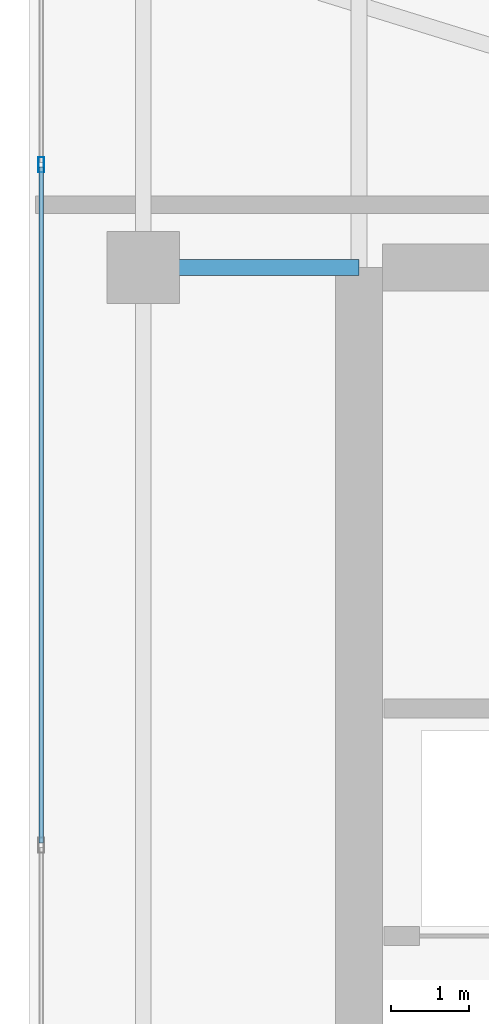
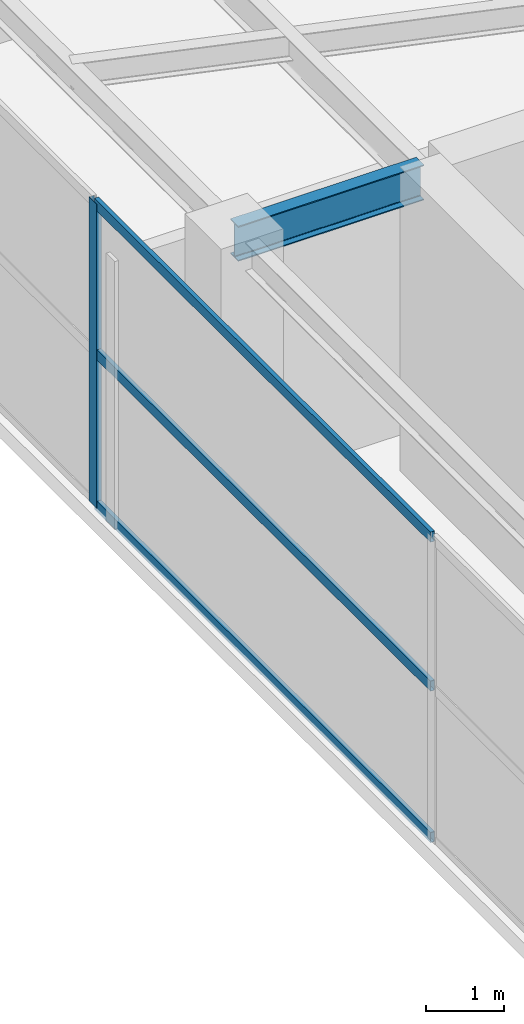
# One storey, part 14 of 21: 4 members, 1 beam, 1 element without a shape of its own.
"""IFC4 building model written with IfcOpenShell, lengths in metres."""

from ifc_helpers import new_model, si_unit, direction, frame, origin, origin_2d, place, context, subcontext, project, spatial, hollow_rectangle, i_section, extrude, material, layer, layer_set, material_profile, profile_set, type_object, element, aggregate, save


model = new_model("IFC4")

# Units and contexts
model_context = context("Model", 3, precision=1e-05, world=origin(), true_north=direction((0.0, 1.0)))
body_context = subcontext(model_context, "Body", "Model", "MODEL_VIEW")
ifc_project = project(units=[si_unit("LENGTHUNIT", "METRE"), si_unit("AREAUNIT", "SQUARE_METRE"), si_unit("VOLUMEUNIT", "CUBIC_METRE"), si_unit("PLANEANGLEUNIT", "RADIAN"), si_unit("MASSUNIT", "GRAM", prefix="KILO")], contexts=[model_context])

# Site, building, storey
site_placement = place(None, origin())
site = spatial("IfcSite", under=ifc_project, at=site_placement, CompositionType="ELEMENT")
building_placement = place(site_placement, origin())
building = spatial("IfcBuilding", under=site, at=building_placement, Name="Calvorn Quay Hotel", CompositionType="ELEMENT")
storey_placement = place(building_placement, frame((0.0, 0.0, 320.5)))
storey = spatial("IfcBuildingStorey", under=building, at=storey_placement, Name="L79", CompositionType="ELEMENT", Elevation=320.5)

# Beam
ifc_material_1 = material(Name="Steel Q355B", Category="steel")
ifc_material_profile_1 = material_profile(ifc_material_1, i_section(OverallWidth=0.199951171875, OverallDepth=0.550048828125, WebThickness=0.010009765625, FlangeThickness=0.01611328125, FilletRadius=0.01806640625, at=origin_2d()), Name="HN550x200x10x16")
ifc_profile_set_1 = profile_set([ifc_material_profile_1], Name="Steel Q355B")
beam_type = type_object("IfcBeamType", Name="BM-GIRD-UPP", PredefinedType="BEAM", material=ifc_profile_set_1)
beam_placement = place(storey_placement, frame((1.449951171875, 38.39990234375, 4.465087890625), z_axis=(1.0, 0.0, 0.0), x_axis=(0.0, 1.0, 0.0)))
element("IfcBeam", 1, at=beam_placement, inside=storey, type_object=beam_type, Name="Beam BG-L79-W3", PredefinedType="BEAM", context=body_context, shape_type="SweptSolid", body=[
    extrude(i_section(OverallWidth=0.199951171875, OverallDepth=0.550048828125, WebThickness=0.010009765625, FlangeThickness=0.01611328125, FilletRadius=0.01806640625, at=origin_2d()), origin(), (0.0, 0.0, 1.0), 2.75),
])

# Curtain wall, members
ifc_material_2 = material(Name="Pale Anodised Aluminium and Laminated Glass", Category="aluminium")
ifc_layer = layer(ifc_material_2, 0.219970703125)
ifc_layer_set = layer_set([ifc_layer], Name="CW-SYS-CRN")
curtain_wall_type = type_object("IfcCurtainWallType", Name="CW-SYS-CRN", PredefinedType="NOTDEFINED", material=ifc_layer_set)
curtain_wall_placement = place(storey_placement, origin())
curtain_wall = element("IfcCurtainWall", 2, at=curtain_wall_placement, inside=storey, type_object=curtain_wall_type, Name="Crown Curtain Wall L79-C5", PredefinedType="NOTDEFINED")
ifc_material_3 = material(Name="Pale Anodised Aluminium 6063-T6", Category="aluminium")
ifc_material_profile_2 = material_profile(ifc_material_3, hollow_rectangle(XDim=0.072021484375, YDim=0.195068359375, WallThickness=0.00390625, at=origin_2d()), Name="ALU-M195x72x4")
ifc_profile_set_2 = profile_set([ifc_material_profile_2], Name="Pale Anodised Aluminium 6063-T6")
member_type_1 = type_object("IfcMemberType", Name="CW-SYS-CRN-MUL", PredefinedType="MULLION", material=ifc_profile_set_2)
member_1_placement = place(storey_placement, frame((0.14990234375, 39.7080078125, 0.0), z_axis=(0.0, 0.0, 1.0), x_axis=(1.0, 0.0, 0.0)))
member_1 = element("IfcMember", 3, at=member_1_placement, type_object=member_type_1, Name="CW-L79-C5 mullion 2", PredefinedType="MULLION", context=body_context, shape_type="SweptSolid", body=[
    extrude(hollow_rectangle(XDim=0.072021484375, YDim=0.195068359375, WallThickness=0.00390625, at=origin_2d()), origin(), (0.0, 0.0, 1.0), 4.760009765625),
])
ifc_material_4 = material(Name="Pale Anodised Aluminium 6063-T6", Category="aluminium")
ifc_material_profile_3 = material_profile(ifc_material_4, hollow_rectangle(XDim=0.06201171875, YDim=0.159912109375, WallThickness=0.00341796875, at=origin_2d()), Name="ALU-T160x62x3.5")
ifc_profile_set_3 = profile_set([ifc_material_profile_3], Name="Pale Anodised Aluminium 6063-T6")
member_type_2 = type_object("IfcMemberType", Name="CW-SYS-CRN-TRN", PredefinedType="USERDEFINED", material=ifc_profile_set_3)
member_2_placement = place(storey_placement, frame((0.14990234375, 39.677978515625, 0.030029296875), z_axis=(0.0, -1.0, 0.0), x_axis=(1.0, 0.0, 0.0)))
member_2 = element("IfcMember", 4, at=member_2_placement, type_object=member_type_2, Name="CW-L79-C5 transom 2.1", ObjectType="TRANSOM", PredefinedType="USERDEFINED", context=body_context, shape_type="SweptSolid", body=[
    extrude(hollow_rectangle(XDim=0.06201171875, YDim=0.159912109375, WallThickness=0.00341796875, at=origin_2d()), origin(), (0.0, 0.0, 1.0), 8.612060546875),
])
member_3_placement = place(storey_placement, frame((0.14990234375, 39.677978515625, 2.39990234375), z_axis=(0.0, -1.0, 0.0), x_axis=(1.0, 0.0, 0.0)))
member_3 = element("IfcMember", 5, at=member_3_placement, type_object=member_type_2, Name="CW-L79-C5 transom 2.2", ObjectType="TRANSOM", PredefinedType="USERDEFINED", context=body_context, shape_type="SweptSolid", body=[
    extrude(hollow_rectangle(XDim=0.06201171875, YDim=0.159912109375, WallThickness=0.00341796875, at=origin_2d()), origin(), (0.0, 0.0, 1.0), 8.612060546875),
])
member_4_placement = place(storey_placement, frame((0.14990234375, 39.677978515625, 4.72998046875), z_axis=(0.0, -1.0, 0.0), x_axis=(1.0, 0.0, 0.0)))
member_4 = element("IfcMember", 6, at=member_4_placement, type_object=member_type_2, Name="CW-L79-C5 transom 2.3", ObjectType="TRANSOM", PredefinedType="USERDEFINED", context=body_context, shape_type="SweptSolid", body=[
    extrude(hollow_rectangle(XDim=0.06201171875, YDim=0.159912109375, WallThickness=0.00341796875, at=origin_2d()), origin(), (0.0, 0.0, 1.0), 8.612060546875),
])
aggregate(curtain_wall, [member_1, member_2, member_3, member_4])

save(model, "model.ifc")
